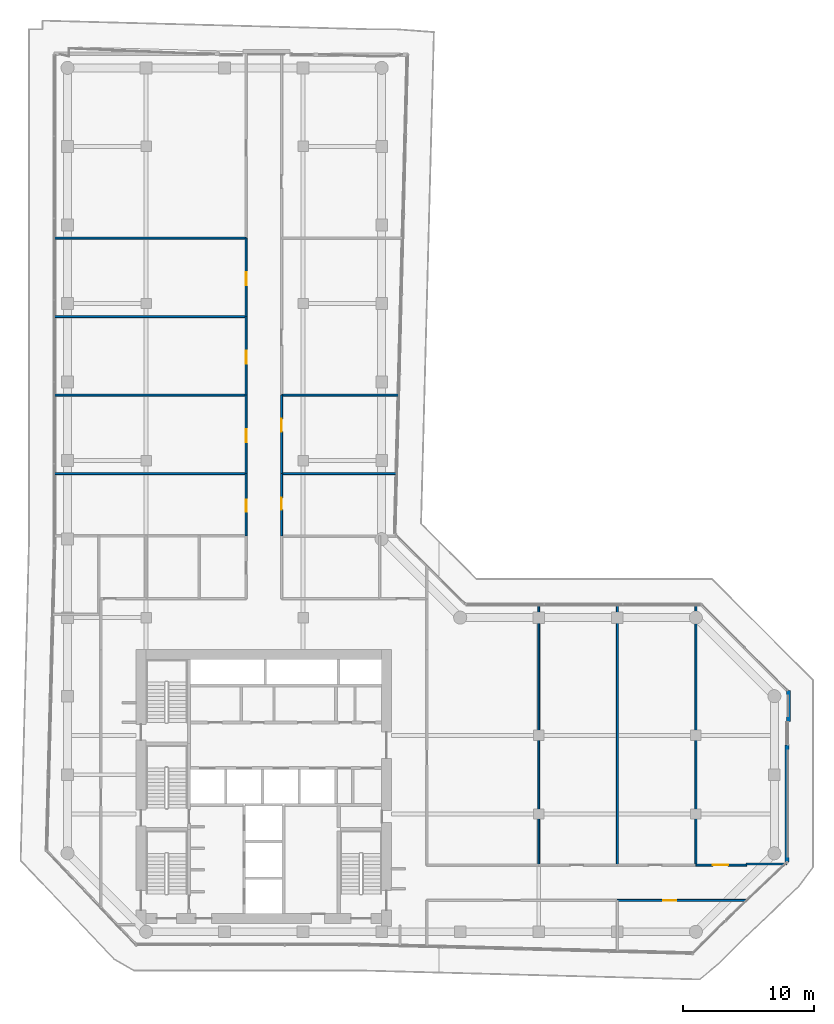
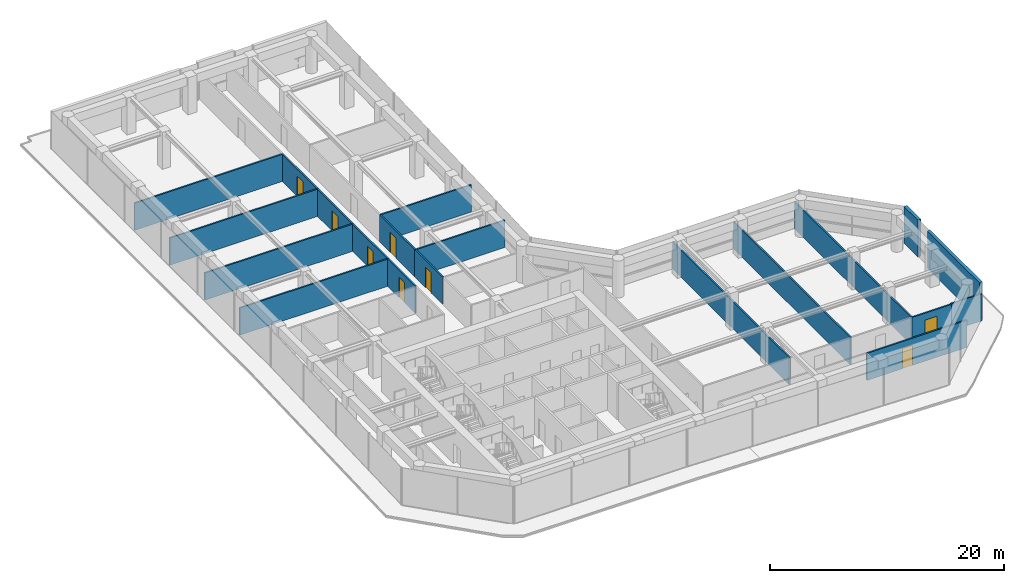
# One storey, part 20 of 23: 20 walls, 8 doors, 8 openings.
"""IFC4 building model written with IfcOpenShell, lengths in metres."""

from ifc_helpers import new_model, si_unit, direction, frame, frame_2d, origin, place, context, subcontext, project, spatial, rectangle, extrude, material, layer, layer_set, type_object, element, fill, save


model = new_model("IFC4")

# Units and contexts
model_context = context("Model", 3, precision=1e-05, world=origin(), true_north=direction((0.0, 1.0)))
body_context = subcontext(model_context, "Body", "Model", "MODEL_VIEW")
ifc_project = project(units=[si_unit("LENGTHUNIT", "METRE"), si_unit("AREAUNIT", "SQUARE_METRE"), si_unit("VOLUMEUNIT", "CUBIC_METRE"), si_unit("PLANEANGLEUNIT", "RADIAN"), si_unit("MASSUNIT", "GRAM", prefix="KILO")], contexts=[model_context])

# Site, building, storey
site_placement = place(None, origin())
site = spatial("IfcSite", under=ifc_project, at=site_placement, CompositionType="ELEMENT")
building_placement = place(site_placement, origin())
building = spatial("IfcBuilding", under=site, at=building_placement, Name="Welwitschia Terrace Campus", CompositionType="ELEMENT")
storey_placement = place(building_placement, frame((0.0, 0.0, 117.199951171875)))
storey = spatial("IfcBuildingStorey", under=building, at=storey_placement, Name="L26", CompositionType="ELEMENT", Elevation=117.199951171875)

# Walls
ifc_material_1 = material(Name="Gypsum board on steel studs", Category="steel")
ifc_layer_1 = layer(ifc_material_1, 0.14990234375)
ifc_layer_set_1 = layer_set([ifc_layer_1], Name="Gypsum board on steel studs")
wall_type_1 = type_object("IfcWallType", Name="Corridor partition 150 EI 30", PredefinedType="PARTITIONING", material=ifc_layer_set_1)
for number, where, z_axis, x_axis, name in (
    (1, (-0.97998046875, 39.0, 0.0), (0.0, 0.0, 1.0), (1.0, 0.0, 0.0), "Partition"),
    (2, (-0.97998046875, 45.0, 0.0), (0.0, 0.0, 1.0), (1.0, 0.0, 0.0), "Partition"),
    (3, (-0.97998046875, 51.0, 0.0), (0.0, 0.0, 1.0), (1.0, 0.0, 0.0), "Partition"),
    (4, (-0.97998046875, 57.0, 0.0), (0.0, 0.0, 1.0), (1.0, 0.0, 0.0), "Partition"),
):
    element("IfcWall", number, at=place(storey_placement, frame(where, z_axis=z_axis, x_axis=x_axis)), inside=storey, type_object=wall_type_1, Name=name, PredefinedType="PARTITIONING", context=body_context, shape_type="SweptSolid", body=[
        extrude(rectangle(XDim=14.6298828125, YDim=0.14990234375, at=frame_2d((7.31494140625, 0.0))), origin(), (0.0, 0.0, 1.0), 2.830078125),
    ])

# Wall, opening, door
wall_1_placement = place(storey_placement, frame((13.64990234375, 34.25, 0.0), z_axis=(0.0, 0.0, 1.0), x_axis=(0.0, 1.0, 0.0)))
wall_1 = element("IfcWall", 5, at=wall_1_placement, inside=storey, type_object=wall_type_1, Name="Partition", PredefinedType="PARTITIONING", context=body_context, shape_type="SweptSolid", body=[
    extrude(rectangle(XDim=4.75, YDim=0.14990234375, at=frame_2d((2.375, 0.0))), origin(), (0.0, 0.0, 1.0), 2.830078125),
])
opening_1_placement = place(wall_1_placement, frame((1.85009765625, 0.0, 0.0)))
opening_1 = element("IfcOpeningElement", 6, at=opening_1_placement, cuts=wall_1, Name="Opening DI09", PredefinedType="OPENING", context=body_context, shape_type="SweptSolid", body=[
    extrude(rectangle(XDim=0.89990234375, YDim=2.10009765625, at=frame_2d((0.449951171875, 1.050048828125))), frame((0.0, 0.0849609375, 0.0), z_axis=(0.0, -1.0, 0.0), x_axis=(1.0, 0.0, 0.0)), (0.0, 0.0, 1.0), 0.169921875),
])
ifc_material_2 = material(Name="Timber veneered door", Category="wood")
door_type_1 = type_object("IfcDoorType", Name="Interior door DI09", OperationType="NOTDEFINED", PredefinedType="DOOR", material=ifc_material_2)
door_1_placement = place(opening_1_placement, origin())
door_1 = element("IfcDoor", 7, at=door_1_placement, inside=storey, type_object=door_type_1, Name="Door L26 565", OperationType="SINGLE_SWING_RIGHT", OverallHeight=2.10009765625, OverallWidth=0.89990234375, PredefinedType="DOOR", context=body_context, shape_type="SweptSolid", body=[
    extrude(rectangle(XDim=0.89990234375, YDim=2.10009765625, at=frame_2d((0.449951171875, 1.050048828125))), frame((0.0, 0.02490234375, 0.0), z_axis=(0.0, -1.0, 0.0), x_axis=(1.0, 0.0, 0.0)), (0.0, 0.0, 1.0), 0.050048828125),
])
fill(opening_1, door_1)

wall_2_placement = place(storey_placement, frame((13.64990234375, 39.0, 0.0), z_axis=(0.0, 0.0, 1.0), x_axis=(0.0, 1.0, 0.0)))
wall_2 = element("IfcWall", 8, at=wall_2_placement, inside=storey, type_object=wall_type_1, Name="Partition", PredefinedType="PARTITIONING", context=body_context, shape_type="SweptSolid", body=[
    extrude(rectangle(XDim=6.0, YDim=0.14990234375, at=frame_2d((3.0, 0.0))), origin(), (0.0, 0.0, 1.0), 2.830078125),
])
opening_2_placement = place(wall_2_placement, frame((2.39990234375, 0.0, 0.0)))
opening_2 = element("IfcOpeningElement", 9, at=opening_2_placement, cuts=wall_2, Name="Opening DI10", PredefinedType="OPENING", context=body_context, shape_type="SweptSolid", body=[
    extrude(rectangle(XDim=1.0, YDim=2.10009765625, at=frame_2d((0.5, 1.050048828125))), frame((0.0, 0.0849609375, 0.0), z_axis=(0.0, -1.0, 0.0), x_axis=(1.0, 0.0, 0.0)), (0.0, 0.0, 1.0), 0.169921875),
])
ifc_material_3 = material(Name="Timber veneered door", Category="wood")
door_type_2 = type_object("IfcDoorType", Name="Interior door DI10", OperationType="NOTDEFINED", PredefinedType="DOOR", material=ifc_material_3)
door_2_placement = place(opening_2_placement, origin())
door_2 = element("IfcDoor", 10, at=door_2_placement, inside=storey, type_object=door_type_2, Name="Door L26 566", OperationType="SINGLE_SWING_LEFT", OverallHeight=2.10009765625, OverallWidth=1.0, PredefinedType="DOOR", context=body_context, shape_type="SweptSolid", body=[
    extrude(rectangle(XDim=1.0, YDim=2.10009765625, at=frame_2d((0.5, 1.050048828125))), frame((0.0, 0.02490234375, 0.0), z_axis=(0.0, -1.0, 0.0), x_axis=(1.0, 0.0, 0.0)), (0.0, 0.0, 1.0), 0.050048828125),
])
fill(opening_2, door_2)

wall_3_placement = place(storey_placement, frame((13.64990234375, 45.0, 0.0), z_axis=(0.0, 0.0, 1.0), x_axis=(0.0, 1.0, 0.0)))
wall_3 = element("IfcWall", 11, at=wall_3_placement, inside=storey, type_object=wall_type_1, Name="Partition", PredefinedType="PARTITIONING", context=body_context, shape_type="SweptSolid", body=[
    extrude(rectangle(XDim=6.0, YDim=0.14990234375, at=frame_2d((3.0, 0.0))), origin(), (0.0, 0.0, 1.0), 2.830078125),
])
opening_3_placement = place(wall_3_placement, frame((2.39990234375, 0.0, 0.0)))
opening_3 = element("IfcOpeningElement", 12, at=opening_3_placement, cuts=wall_3, Name="Opening DI10", PredefinedType="OPENING", context=body_context, shape_type="SweptSolid", body=[
    extrude(rectangle(XDim=1.0, YDim=2.10009765625, at=frame_2d((0.5, 1.050048828125))), frame((0.0, 0.0849609375, 0.0), z_axis=(0.0, -1.0, 0.0), x_axis=(1.0, 0.0, 0.0)), (0.0, 0.0, 1.0), 0.169921875),
])
door_3_placement = place(opening_3_placement, origin())
door_3 = element("IfcDoor", 13, at=door_3_placement, inside=storey, type_object=door_type_2, Name="Door L26 567", OperationType="SINGLE_SWING_RIGHT", OverallHeight=2.10009765625, OverallWidth=1.0, PredefinedType="DOOR", context=body_context, shape_type="SweptSolid", body=[
    extrude(rectangle(XDim=1.0, YDim=2.10009765625, at=frame_2d((0.5, 1.050048828125))), frame((0.0, 0.02490234375, 0.0), z_axis=(0.0, -1.0, 0.0), x_axis=(1.0, 0.0, 0.0)), (0.0, 0.0, 1.0), 0.050048828125),
])
fill(opening_3, door_3)

wall_4_placement = place(storey_placement, frame((13.64990234375, 51.0, 0.0), z_axis=(0.0, 0.0, 1.0), x_axis=(0.0, 1.0, 0.0)))
wall_4 = element("IfcWall", 14, at=wall_4_placement, inside=storey, type_object=wall_type_1, Name="Partition", PredefinedType="PARTITIONING", context=body_context, shape_type="SweptSolid", body=[
    extrude(rectangle(XDim=6.0, YDim=0.14990234375, at=frame_2d((3.0, 0.0))), origin(), (0.0, 0.0, 1.0), 2.830078125),
])
opening_4_placement = place(wall_4_placement, frame((2.39990234375, 0.0, 0.0)))
opening_4 = element("IfcOpeningElement", 15, at=opening_4_placement, cuts=wall_4, Name="Opening DI10", PredefinedType="OPENING", context=body_context, shape_type="SweptSolid", body=[
    extrude(rectangle(XDim=1.0, YDim=2.10009765625, at=frame_2d((0.5, 1.050048828125))), frame((0.0, 0.0849609375, 0.0), z_axis=(0.0, -1.0, 0.0), x_axis=(1.0, 0.0, 0.0)), (0.0, 0.0, 1.0), 0.169921875),
])
door_4_placement = place(opening_4_placement, origin())
door_4 = element("IfcDoor", 16, at=door_4_placement, inside=storey, type_object=door_type_2, Name="Door L26 568", OperationType="SINGLE_SWING_LEFT", OverallHeight=2.10009765625, OverallWidth=1.0, PredefinedType="DOOR", context=body_context, shape_type="SweptSolid", body=[
    extrude(rectangle(XDim=1.0, YDim=2.10009765625, at=frame_2d((0.5, 1.050048828125))), frame((0.0, 0.02490234375, 0.0), z_axis=(0.0, -1.0, 0.0), x_axis=(1.0, 0.0, 0.0)), (0.0, 0.0, 1.0), 0.050048828125),
])
fill(opening_4, door_4)

wall_5_placement = place(storey_placement, frame((16.35009765625, 39.0, 0.0), z_axis=(0.0, 0.0, 1.0), x_axis=(0.0, -1.0, 0.0)))
wall_5 = element("IfcWall", 17, at=wall_5_placement, inside=storey, type_object=wall_type_1, Name="Partition", PredefinedType="PARTITIONING", context=body_context, shape_type="SweptSolid", body=[
    extrude(rectangle(XDim=4.75, YDim=0.14990234375, at=frame_2d((2.375, 0.0))), origin(), (0.0, 0.0, 1.0), 2.830078125),
])
opening_5_placement = place(wall_5_placement, frame((1.85009765625, 0.0, 0.0)))
opening_5 = element("IfcOpeningElement", 18, at=opening_5_placement, cuts=wall_5, Name="Opening DI09", PredefinedType="OPENING", context=body_context, shape_type="SweptSolid", body=[
    extrude(rectangle(XDim=0.89990234375, YDim=2.10009765625, at=frame_2d((0.449951171875, 1.050048828125))), frame((0.0, 0.0849609375, 0.0), z_axis=(0.0, -1.0, 0.0), x_axis=(1.0, 0.0, 0.0)), (0.0, 0.0, 1.0), 0.169921875),
])
door_5_placement = place(opening_5_placement, origin())
door_5 = element("IfcDoor", 19, at=door_5_placement, inside=storey, type_object=door_type_1, Name="Door L26 570", OperationType="SINGLE_SWING_LEFT", OverallHeight=2.10009765625, OverallWidth=0.89990234375, PredefinedType="DOOR", context=body_context, shape_type="SweptSolid", body=[
    extrude(rectangle(XDim=0.89990234375, YDim=2.10009765625, at=frame_2d((0.449951171875, 1.050048828125))), frame((0.0, 0.02490234375, 0.0), z_axis=(0.0, -1.0, 0.0), x_axis=(1.0, 0.0, 0.0)), (0.0, 0.0, 1.0), 0.050048828125),
])
fill(opening_5, door_5)

# Wall
wall_6_placement = place(storey_placement, frame((16.35009765625, 39.0, 0.0), z_axis=(0.0, 0.0, 1.0), x_axis=(1.0, 0.0, 0.0)))
element("IfcWall", 20, at=wall_6_placement, inside=storey, type_object=wall_type_1, Name="Partition", PredefinedType="PARTITIONING", context=body_context, shape_type="SweptSolid", body=[
    extrude(rectangle(XDim=8.77978515625, YDim=0.14990234375, at=frame_2d((4.389892578125, 0.0))), origin(), (0.0, 0.0, 1.0), 2.830078125),
])

# Wall, opening, door
wall_7_placement = place(storey_placement, frame((16.35009765625, 45.0, 0.0), z_axis=(0.0, 0.0, 1.0), x_axis=(0.0, -1.0, 0.0)))
wall_7 = element("IfcWall", 21, at=wall_7_placement, inside=storey, type_object=wall_type_1, Name="Partition", PredefinedType="PARTITIONING", context=body_context, shape_type="SweptSolid", body=[
    extrude(rectangle(XDim=6.0, YDim=0.14990234375, at=frame_2d((3.0, 0.0))), origin(), (0.0, 0.0, 1.0), 2.830078125),
])
opening_6_placement = place(wall_7_placement, frame((1.800048828125, 0.0, 0.0)))
opening_6 = element("IfcOpeningElement", 22, at=opening_6_placement, cuts=wall_7, Name="Opening DI10", PredefinedType="OPENING", context=body_context, shape_type="SweptSolid", body=[
    extrude(rectangle(XDim=1.0, YDim=2.10009765625, at=frame_2d((0.5, 1.050048828125))), frame((0.0, 0.0849609375, 0.0), z_axis=(0.0, -1.0, 0.0), x_axis=(1.0, 0.0, 0.0)), (0.0, 0.0, 1.0), 0.169921875),
])
door_6_placement = place(opening_6_placement, origin())
door_6 = element("IfcDoor", 23, at=door_6_placement, inside=storey, type_object=door_type_2, Name="Door L26 571", OperationType="SINGLE_SWING_RIGHT", OverallHeight=2.10009765625, OverallWidth=1.0, PredefinedType="DOOR", context=body_context, shape_type="SweptSolid", body=[
    extrude(rectangle(XDim=1.0, YDim=2.10009765625, at=frame_2d((0.5, 1.050048828125))), frame((0.0, 0.02490234375, 0.0), z_axis=(0.0, -1.0, 0.0), x_axis=(1.0, 0.0, 0.0)), (0.0, 0.0, 1.0), 0.050048828125),
])
fill(opening_6, door_6)

# Walls
wall_8_placement = place(storey_placement, frame((16.35009765625, 45.0, 0.0), z_axis=(0.0, 0.0, 1.0), x_axis=(1.0, 0.0, 0.0)))
element("IfcWall", 24, at=wall_8_placement, inside=storey, type_object=wall_type_1, Name="Partition", PredefinedType="PARTITIONING", context=body_context, shape_type="SweptSolid", body=[
    extrude(rectangle(XDim=8.93994140625, YDim=0.14990234375, at=frame_2d((4.469970703125, 0.0))), origin(), (0.0, 0.0, 1.0), 2.830078125),
])
for number, where, z_axis, x_axis, name in (
    (25, (36.0, 9.10009765625, 0.0), (0.0, 0.0, 1.0), (0.0, 1.0, 0.0), "Partition"),
    (26, (42.0, 9.10009765625, 0.0), (0.0, 0.0, 1.0), (0.0, 1.0, 0.0), "Partition"),
    (27, (48.0, 9.10009765625, 0.0), (0.0, 0.0, 1.0), (0.0, 1.0, 0.0), "Partition"),
):
    element("IfcWall", number, at=place(storey_placement, frame(where, z_axis=z_axis, x_axis=x_axis)), inside=storey, type_object=wall_type_1, Name=name, PredefinedType="PARTITIONING", context=body_context, shape_type="SweptSolid", body=[
        extrude(rectangle(XDim=19.8798828125, YDim=0.14990234375, at=frame_2d((9.93994140625, 0.0))), origin(), (0.0, 0.0, 1.0), 2.830078125),
    ])

# Wall, opening, door
wall_9_placement = place(storey_placement, frame((48.0, 9.10009765625, 0.0), z_axis=(0.0, 0.0, 1.0), x_axis=(1.0, 0.0, 0.0)))
wall_9 = element("IfcWall", 28, at=wall_9_placement, inside=storey, type_object=wall_type_1, Name="Partition", PredefinedType="PARTITIONING", context=body_context, shape_type="SweptSolid", body=[
    extrude(rectangle(XDim=3.8798828125, YDim=0.14990234375, at=frame_2d((1.93994140625, 0.0))), origin(), (0.0, 0.0, 1.0), 2.830078125),
])
opening_7_placement = place(wall_9_placement, frame((1.280029296875, 0.0, 0.0)))
opening_7 = element("IfcOpeningElement", 29, at=opening_7_placement, cuts=wall_9, Name="Opening DI12", PredefinedType="OPENING", context=body_context, shape_type="SweptSolid", body=[
    extrude(rectangle(XDim=1.199951171875, YDim=2.10009765625, at=frame_2d((0.60009765625, 1.050048828125))), frame((0.0, 0.0849609375, 0.0), z_axis=(0.0, -1.0, 0.0), x_axis=(1.0, 0.0, 0.0)), (0.0, 0.0, 1.0), 0.169921875),
])
ifc_material_4 = material(Name="Timber veneered door", Category="wood")
door_type_3 = type_object("IfcDoorType", Name="Interior door DI12", OperationType="NOTDEFINED", PredefinedType="DOOR", material=ifc_material_4)
door_7_placement = place(opening_7_placement, origin())
door_7 = element("IfcDoor", 30, at=door_7_placement, inside=storey, type_object=door_type_3, Name="Door L26 579", OperationType="SINGLE_SWING_RIGHT", OverallHeight=2.10009765625, OverallWidth=1.199951171875, PredefinedType="DOOR", context=body_context, shape_type="SweptSolid", body=[
    extrude(rectangle(XDim=1.199951171875, YDim=2.10009765625, at=frame_2d((0.60009765625, 1.050048828125))), frame((0.0, 0.02490234375, 0.0), z_axis=(0.0, -1.0, 0.0), x_axis=(1.0, 0.0, 0.0)), (0.0, 0.0, 1.0), 0.050048828125),
])
fill(opening_7, door_7)

# Wall
wall_10_placement = place(storey_placement, frame((51.85009765625, 9.179931640625, 0.0), z_axis=(0.0, 0.0, 1.0), x_axis=(1.0, 0.0, 0.0)))
element("IfcWall", 31, at=wall_10_placement, inside=storey, type_object=wall_type_1, Name="Partition", PredefinedType="PARTITIONING", context=body_context, shape_type="SweptSolid", body=[
    extrude(rectangle(XDim=3.093017578125, YDim=0.14990234375, at=frame_2d((1.54638671875, 0.0))), origin(), (0.0, 0.0, 1.0), 2.830078125),
])

# Wall, opening, door
wall_11_placement = place(storey_placement, frame((51.8701171875, 6.39990234375, 0.0), z_axis=(0.0, 0.0, 1.0), x_axis=(-1.0, 0.0, 0.0)))
wall_11 = element("IfcWall", 32, at=wall_11_placement, inside=storey, type_object=wall_type_1, Name="Partition", PredefinedType="PARTITIONING", context=body_context, shape_type="SweptSolid", body=[
    extrude(rectangle(XDim=9.8701171875, YDim=0.14990234375, at=frame_2d((4.93505859375, 0.0))), origin(), (0.0, 0.0, 1.0), 2.830078125),
])
opening_8_placement = place(wall_11_placement, frame((5.3701171875, 0.0, 0.0)))
opening_8 = element("IfcOpeningElement", 33, at=opening_8_placement, cuts=wall_11, Name="Opening DI10", PredefinedType="OPENING", context=body_context, shape_type="SweptSolid", body=[
    extrude(rectangle(XDim=1.0, YDim=2.10009765625, at=frame_2d((0.5, 1.050048828125))), frame((0.0, 0.0849609375, 0.0), z_axis=(0.0, -1.0, 0.0), x_axis=(1.0, 0.0, 0.0)), (0.0, 0.0, 1.0), 0.169921875),
])
door_8_placement = place(opening_8_placement, origin())
door_8 = element("IfcDoor", 34, at=door_8_placement, inside=storey, type_object=door_type_2, Name="Door L26 580", OperationType="SINGLE_SWING_LEFT", OverallHeight=2.10009765625, OverallWidth=1.0, PredefinedType="DOOR", context=body_context, shape_type="SweptSolid", body=[
    extrude(rectangle(XDim=1.0, YDim=2.10009765625, at=frame_2d((0.5, 1.050048828125))), frame((0.0, 0.02490234375, 0.0), z_axis=(0.0, -1.0, 0.0), x_axis=(1.0, 0.0, 0.0)), (0.0, 0.0, 1.0), 0.050048828125),
])
fill(opening_8, door_8)

# Walls
ifc_material_5 = material(Name="Concrete C40/50", Category="concrete")
ifc_layer_2 = layer(ifc_material_5, 0.300048828125)
ifc_layer_set_2 = layer_set([ifc_layer_2], Name="Concrete C40/50")
wall_type_2 = type_object("IfcWallType", Name="Mass wall 300", PredefinedType="SOLIDWALL", material=ifc_layer_set_2)
wall_12_placement = place(storey_placement, frame((54.975341796875, 9.33154296875, 0.0), z_axis=(0.0, 0.0, 1.0), x_axis=(0.0, 1.0, 0.0)))
element("IfcWall", 35, at=wall_12_placement, inside=storey, type_object=wall_type_2, Name="Mass wall L26.6.0", PredefinedType="SOLIDWALL", context=body_context, shape_type="SweptSolid", body=[
    extrude(rectangle(XDim=8.92138671875, YDim=0.300048828125, at=frame_2d((4.460693359375, 0.0))), origin(), (0.0, 0.0, 1.0), 3.85009765625),
])
wall_13_placement = place(storey_placement, frame((55.07958984375, 20.052978515625, 0.0), z_axis=(0.0, 0.0, 1.0), x_axis=(0.0, 1.0, 0.0)))
element("IfcWall", 36, at=wall_13_placement, inside=storey, type_object=wall_type_2, Name="Mass wall L26.6.1", PredefinedType="SOLIDWALL", context=body_context, shape_type="SweptSolid", body=[
    extrude(rectangle(XDim=2.37353515625, YDim=0.300048828125, at=frame_2d((1.186767578125, 0.0))), origin(), (0.0, 0.0, 1.0), 3.85009765625),
])

save(model, "model.ifc")
